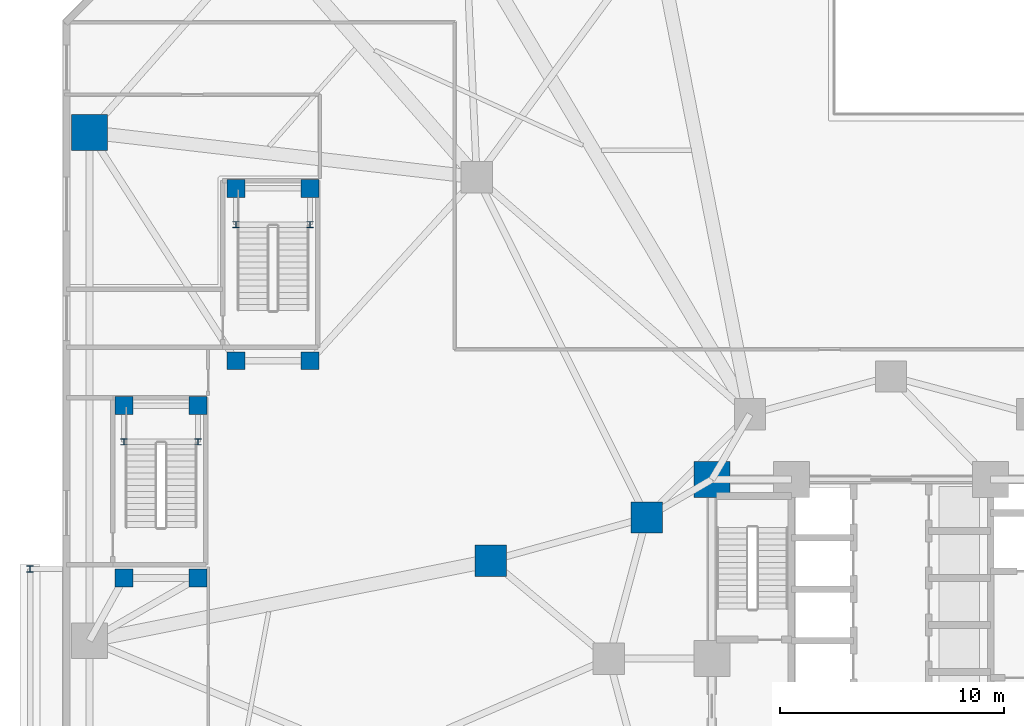
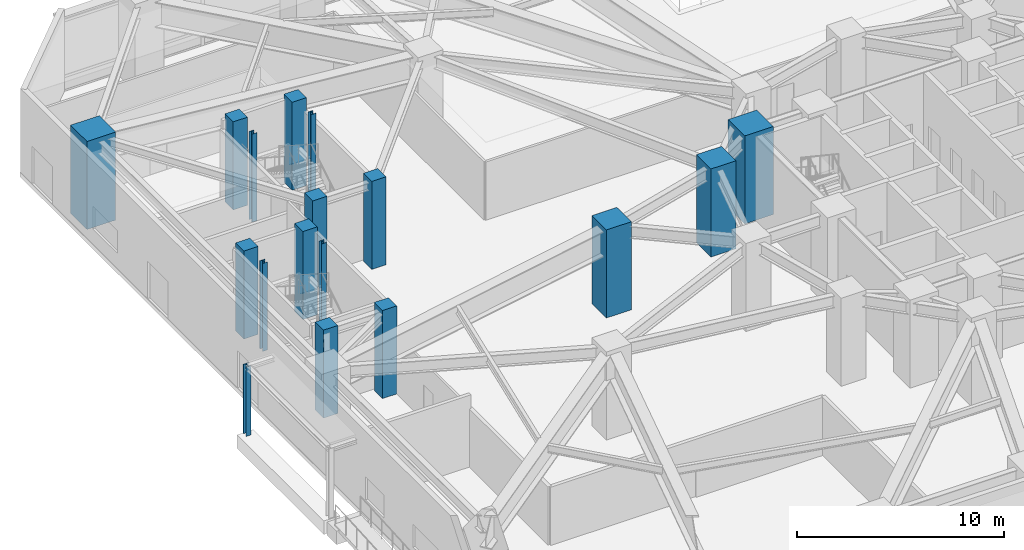
# One storey, part 5 of 30: 17 columns.
"""IFC4 building model written with IfcOpenShell, lengths in metres."""

from ifc_helpers import new_model, si_unit, direction, frame, origin, origin_2d, place, context, subcontext, project, spatial, rectangle, i_section, extrude, material, material_profile, profile_set, type_object, element, save


model = new_model("IFC4")

# Units and contexts
model_context = context("Model", 3, precision=1e-05, world=origin(), true_north=direction((0.0, 1.0)))
body_context = subcontext(model_context, "Body", "Model", "MODEL_VIEW")
ifc_project = project(units=[si_unit("LENGTHUNIT", "METRE"), si_unit("AREAUNIT", "SQUARE_METRE"), si_unit("VOLUMEUNIT", "CUBIC_METRE"), si_unit("PLANEANGLEUNIT", "RADIAN"), si_unit("MASSUNIT", "GRAM", prefix="KILO")], contexts=[model_context])

# Site, building, storey
site_placement = place(None, origin())
site = spatial("IfcSite", under=ifc_project, at=site_placement, CompositionType="ELEMENT")
building_placement = place(site_placement, origin())
building = spatial("IfcBuilding", under=site, at=building_placement, Name="Terralouvre Media Tower", CompositionType="ELEMENT")
storey_placement = place(building_placement, origin())
storey = spatial("IfcBuildingStorey", under=building, at=storey_placement, Name="L00", CompositionType="ELEMENT", Elevation=0.0)

# Columns
ifc_material_1 = material(Name="Structural steel S355J2", Category="steel")
ifc_material_profile_1 = material_profile(ifc_material_1, i_section(OverallWidth=0.280029296875, OverallDepth=0.280029296875, WebThickness=0.010498046875, FlangeThickness=0.01806640625, at=origin_2d()), Name="HEB 280")
ifc_profile_set_1 = profile_set([ifc_material_profile_1], Name="Structural steel S355J2")
column_type_1 = type_object("IfcColumnType", Name="Basement Aisle Pilaster PL-HEB280 (HEB 280)", PredefinedType="PILASTER", material=ifc_profile_set_1)
for number, where, z_axis, x_axis, name in (
    (1, (-34.25, 9.679931640625, 0.0), (0.0, 0.0, 1.0), (1.0, 0.0, 0.0), "L00 Stair Half-Landing Post ST3CLP1"),
    (2, (-30.949951171875, 9.679931640625, 0.0), (0.0, 0.0, 1.0), (1.0, 0.0, 0.0), "L00 Stair Half-Landing Post ST3CLP2"),
    (3, (-29.25, 19.3798828125, 0.0), (0.0, 0.0, 1.0), (1.0, 0.0, 0.0), "L00 Stair Half-Landing Post ST6CLP1"),
    (4, (-25.949951171875, 19.3798828125, 0.0), (0.0, 0.0, 1.0), (1.0, 0.0, 0.0), "L00 Stair Half-Landing Post ST6CLP2"),
):
    element("IfcColumn", number, at=place(storey_placement, frame(where, z_axis=z_axis, x_axis=x_axis)), inside=storey, type_object=column_type_1, Name=name, PredefinedType="PILASTER", context=body_context, shape_type="SweptSolid", body=[
        extrude(i_section(OverallWidth=0.280029296875, OverallDepth=0.280029296875, WebThickness=0.010498046875, FlangeThickness=0.01806640625, at=origin_2d()), origin(), (0.0, 0.0, 1.0), 5.199951171875),
    ])
column_placement = place(storey_placement, frame((-38.449951171875, 4.0, -0.10009765625), z_axis=(0.0, 0.0, 1.0), x_axis=(1.0, 0.0, 0.0)))
element("IfcColumn", 5, at=column_placement, inside=storey, type_object=column_type_1, Name="L00 Canopy Support Post CANW1-2", PredefinedType="PILASTER", context=body_context, shape_type="SweptSolid", body=[
    extrude(i_section(OverallWidth=0.280029296875, OverallDepth=0.280029296875, WebThickness=0.010498046875, FlangeThickness=0.01806640625, at=origin_2d()), origin(), (0.0, 0.0, 1.0), 4.10009765625),
])
ifc_material_2 = material(Name="Concrete C60/75", Category="concrete")
ifc_material_profile_2 = material_profile(ifc_material_2, rectangle(XDim=1.39990234375, YDim=1.39990234375, at=origin_2d()), Name="RC 1400x1400")
ifc_profile_set_2 = profile_set([ifc_material_profile_2], Name="Concrete C60/75")
column_type_2 = type_object("IfcColumnType", Name="Structural Column C-RC1400 (RC 1400x1400)", PredefinedType="COLUMN", material=ifc_profile_set_2)
for number, where, z_axis, x_axis, name in (
    (6, (-10.911865234375, 6.300048828125, 0.0), (0.0, 0.0, 1.0), (1.0, 0.0, 0.0), "L00 Mega-Frame Column MC06"),
    (7, (-17.874755859375, 4.373291015625, 0.0), (0.0, 0.0, 1.0), (1.0, 0.0, 0.0), "L00 Podium Transfer Column PM23"),
):
    element("IfcColumn", number, at=place(storey_placement, frame(where, z_axis=z_axis, x_axis=x_axis)), inside=storey, type_object=column_type_2, Name=name, PredefinedType="COLUMN", context=body_context, shape_type="SweptSolid", body=[
        extrude(rectangle(XDim=1.39990234375, YDim=1.39990234375, at=origin_2d()), origin(), (0.0, 0.0, 1.0), 5.199951171875),
    ])
ifc_material_3 = material(Name="Concrete C60/75", Category="concrete")
ifc_material_profile_3 = material_profile(ifc_material_3, rectangle(XDim=1.60009765625, YDim=1.60009765625, at=origin_2d()), Name="RC 1600x1600")
ifc_profile_set_3 = profile_set([ifc_material_profile_3], Name="Concrete C60/75")
column_type_3 = type_object("IfcColumnType", Name="Structural Column C-RC1600 (RC 1600x1600)", PredefinedType="COLUMN", material=ifc_profile_set_3)
for number, where, z_axis, x_axis, name in (
    (8, (-8.0, 8.0, 0.0), (0.0, 0.0, 1.0), (1.0, 0.0, 0.0), "L00 Core Pilaster Column CP7"),
    (9, (-35.800048828125, 23.5, 0.0), (0.0, 0.0, 1.0), (1.0, 0.0, 0.0), "L00 Perimeter Mega-Column PM16"),
):
    element("IfcColumn", number, at=place(storey_placement, frame(where, z_axis=z_axis, x_axis=x_axis)), inside=storey, type_object=column_type_3, Name=name, PredefinedType="COLUMN", context=body_context, shape_type="SweptSolid", body=[
        extrude(rectangle(XDim=1.60009765625, YDim=1.60009765625, at=origin_2d()), origin(), (0.0, 0.0, 1.0), 5.199951171875),
    ])
ifc_material_4 = material(Name="Concrete C50/60", Category="concrete")
ifc_material_profile_4 = material_profile(ifc_material_4, rectangle(XDim=0.800048828125, YDim=0.800048828125, at=origin_2d()), Name="RC 800x800")
ifc_profile_set_4 = profile_set([ifc_material_profile_4], Name="Concrete C50/60")
column_type_4 = type_object("IfcColumnType", Name="Structural Column C-RC800 (RC 800x800)", PredefinedType="COLUMN", material=ifc_profile_set_4)
for number, where, z_axis, x_axis, name in (
    (10, (-34.25, 3.60009765625, 0.0), (0.0, 0.0, 1.0), (1.0, 0.0, 0.0), "L00 Stair Pavilion Support Column ST3C1"),
    (11, (-30.949951171875, 3.60009765625, 0.0), (0.0, 0.0, 1.0), (1.0, 0.0, 0.0), "L00 Stair Pavilion Support Column ST3C2"),
    (12, (-30.949951171875, 11.300048828125, 0.0), (0.0, 0.0, 1.0), (1.0, 0.0, 0.0), "L00 Stair Pavilion Support Column ST3C3"),
    (13, (-34.25, 11.300048828125, 0.0), (0.0, 0.0, 1.0), (1.0, 0.0, 0.0), "L00 Stair Pavilion Support Column ST3C4"),
    (14, (-29.25, 13.300048828125, 0.0), (0.0, 0.0, 1.0), (1.0, 0.0, 0.0), "L00 Stair Pavilion Support Column ST6C1"),
    (15, (-25.949951171875, 13.300048828125, 0.0), (0.0, 0.0, 1.0), (1.0, 0.0, 0.0), "L00 Stair Pavilion Support Column ST6C2"),
    (16, (-25.949951171875, 21.0, 0.0), (0.0, 0.0, 1.0), (1.0, 0.0, 0.0), "L00 Stair Pavilion Support Column ST6C3"),
    (17, (-29.25, 21.0, 0.0), (0.0, 0.0, 1.0), (1.0, 0.0, 0.0), "L00 Stair Pavilion Support Column ST6C4"),
):
    element("IfcColumn", number, at=place(storey_placement, frame(where, z_axis=z_axis, x_axis=x_axis)), inside=storey, type_object=column_type_4, Name=name, PredefinedType="COLUMN", context=body_context, shape_type="SweptSolid", body=[
        extrude(rectangle(XDim=0.800048828125, YDim=0.800048828125, at=origin_2d()), origin(), (0.0, 0.0, 1.0), 5.199951171875),
    ])

save(model, "model.ifc")
